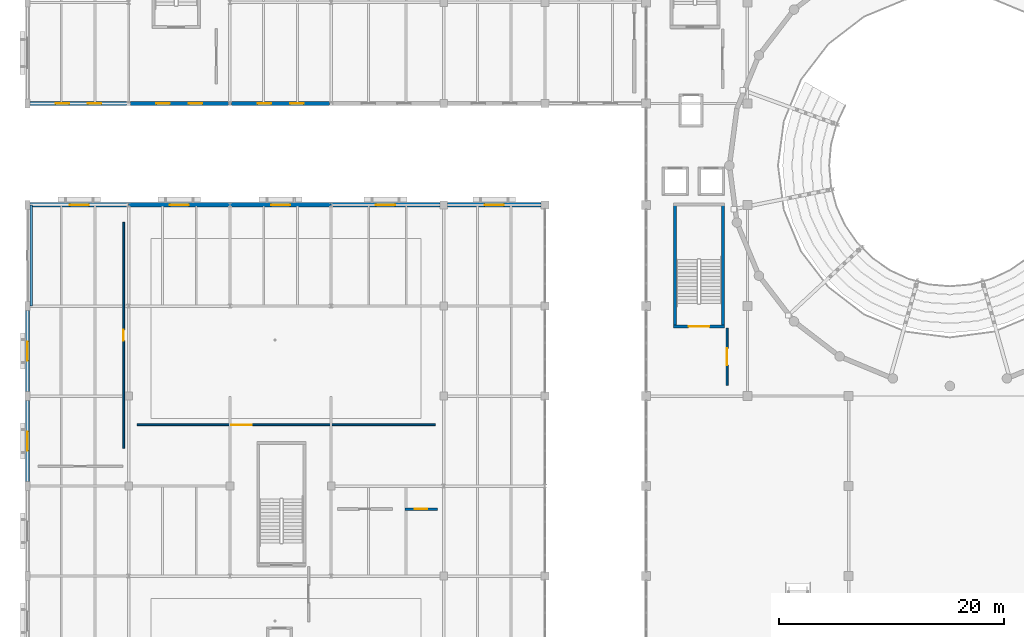
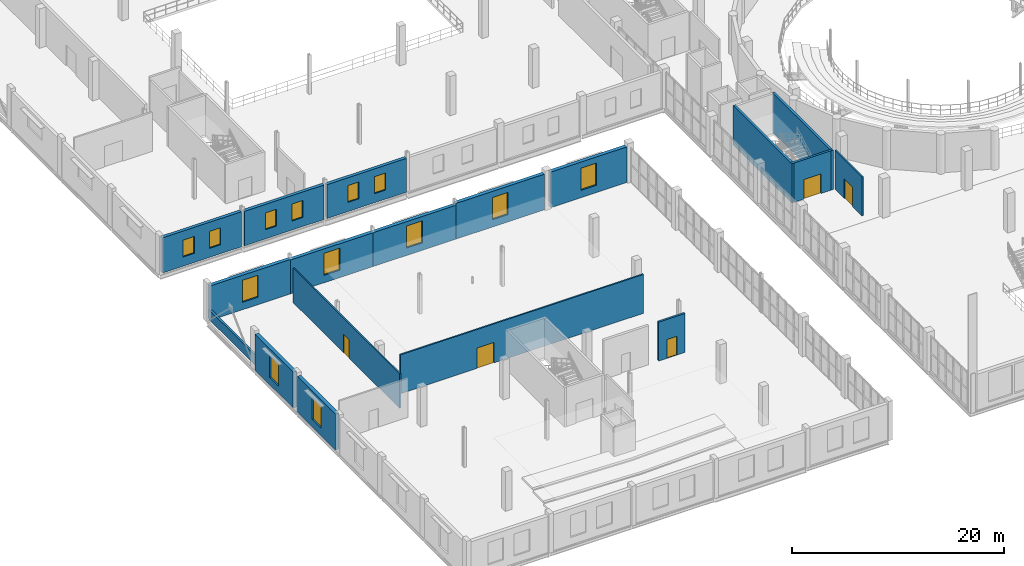
# One storey, part 69 of 93: 18 walls, 13 windows, 5 doors, 18 openings.
"""IFC4 building model written with IfcOpenShell, lengths in metres."""

from ifc_helpers import new_model, si_unit, direction, frame, frame_2d, origin, place, context, subcontext, project, spatial, rectangle, extrude, material, layer, layer_set, type_object, element, fill, save


model = new_model("IFC4")

# Units and contexts
model_context = context("Model", 3, precision=1e-05, world=origin(), true_north=direction((0.0, 1.0)))
body_context = subcontext(model_context, "Body", "Model", "MODEL_VIEW")
ifc_project = project(units=[si_unit("LENGTHUNIT", "METRE"), si_unit("AREAUNIT", "SQUARE_METRE"), si_unit("VOLUMEUNIT", "CUBIC_METRE"), si_unit("PLANEANGLEUNIT", "RADIAN"), si_unit("MASSUNIT", "GRAM", prefix="KILO")], contexts=[model_context])

# Site, building, storey
site_placement = place(None, origin())
site = spatial("IfcSite", under=ifc_project, at=site_placement, CompositionType="ELEMENT")
building_placement = place(site_placement, origin())
building = spatial("IfcBuilding", under=site, at=building_placement, Name="Marnock Terrace Opera House", CompositionType="ELEMENT")
storey_placement = place(building_placement, frame((0.0, 0.0, 5.39990234375)))
storey = spatial("IfcBuildingStorey", under=building, at=storey_placement, Name="L01", CompositionType="ELEMENT", Elevation=5.39990234375)

# Wall, opening, window
ifc_material_1 = material(Name="Basket Range sandstone ashlar masonry", Category="masonry")
ifc_layer_1 = layer(ifc_material_1, 0.389892578125)
ifc_layer_set_1 = layer_set([ifc_layer_1], Name="Basket Range sandstone ashlar masonry")
wall_type_1 = type_object("IfcWallType", Name="EW-ASHLAR-390", PredefinedType="SOLIDWALL", material=ifc_layer_set_1)
wall_1_placement = place(storey_placement, frame((0.0, 32.39599609375, 0.0), z_axis=(0.0, 0.0, 1.0), x_axis=(0.0, 1.0, 0.0)))
wall_1 = element("IfcWall", 1, at=wall_1_placement, inside=storey, type_object=wall_type_1, Name="L01 Volume 3 west sandstone wall 4", PredefinedType="SOLIDWALL", context=body_context, shape_type="SweptSolid", body=[
    extrude(rectangle(XDim=7.2080078125, YDim=0.389892578125, at=frame_2d((3.60400390625, 0.0))), origin(), (0.0, 0.0, 1.0), 4.151611328125),
])
opening_1_placement = place(wall_1_placement, frame((2.75390625, 0.0, 0.85009765625)))
opening_1 = element("IfcOpeningElement", 2, at=opening_1_placement, cuts=wall_1, Name="Opening WT-108", PredefinedType="OPENING", context=body_context, shape_type="SweptSolid", body=[
    extrude(rectangle(XDim=1.699951171875, YDim=2.550048828125, at=frame_2d((0.85009765625, 1.27490234375))), frame((0.0, 0.204833984375, 0.0), z_axis=(0.0, -1.0, 0.0), x_axis=(1.0, 0.0, 0.0)), (0.0, 0.0, 1.0), 0.409912109375),
])
ifc_material_2 = material(Name="Double-glazed acoustic low-E laminated glass", Category="glass")
window_type_1 = type_object("IfcWindowType", Name="WT-PIER-1700", PartitioningType="SINGLE_PANEL", PredefinedType="WINDOW", material=ifc_material_2)
window_1_placement = place(opening_1_placement, origin())
window_1 = element("IfcWindow", 3, at=window_1_placement, inside=storey, type_object=window_type_1, Name="L01 facade window EW-V3W-L01-4.1", OverallHeight=2.550048828125, OverallWidth=1.699951171875, PartitioningType="SINGLE_PANEL", PredefinedType="WINDOW", context=body_context, shape_type="SweptSolid", body=[
    extrude(rectangle(XDim=1.699951171875, YDim=2.550048828125, at=frame_2d((0.85009765625, 1.27490234375))), frame((0.0, 0.030029296875, 0.0), z_axis=(0.0, -1.0, 0.0), x_axis=(1.0, 0.0, 0.0)), (0.0, 0.0, 1.0), 0.06005859375),
])
fill(opening_1, window_1)

wall_2_placement = place(storey_placement, frame((0.0, 40.39599609375, 0.0), z_axis=(0.0, 0.0, 1.0), x_axis=(0.0, 1.0, 0.0)))
wall_2 = element("IfcWall", 4, at=wall_2_placement, inside=storey, type_object=wall_type_1, Name="L01 Volume 3 west sandstone wall 5", PredefinedType="SOLIDWALL", context=body_context, shape_type="SweptSolid", body=[
    extrude(rectangle(XDim=7.2080078125, YDim=0.389892578125, at=frame_2d((3.60400390625, 0.0))), origin(), (0.0, 0.0, 1.0), 4.151611328125),
])
opening_2_placement = place(wall_2_placement, frame((2.75390625, 0.0, 0.85009765625)))
opening_2 = element("IfcOpeningElement", 5, at=opening_2_placement, cuts=wall_2, Name="Opening WT-108", PredefinedType="OPENING", context=body_context, shape_type="SweptSolid", body=[
    extrude(rectangle(XDim=1.699951171875, YDim=2.550048828125, at=frame_2d((0.85009765625, 1.27490234375))), frame((0.0, 0.204833984375, 0.0), z_axis=(0.0, -1.0, 0.0), x_axis=(1.0, 0.0, 0.0)), (0.0, 0.0, 1.0), 0.409912109375),
])
window_2_placement = place(opening_2_placement, origin())
window_2 = element("IfcWindow", 6, at=window_2_placement, inside=storey, type_object=window_type_1, Name="L01 facade window EW-V3W-L01-5.1", OverallHeight=2.550048828125, OverallWidth=1.699951171875, PartitioningType="SINGLE_PANEL", PredefinedType="WINDOW", context=body_context, shape_type="SweptSolid", body=[
    extrude(rectangle(XDim=1.699951171875, YDim=2.550048828125, at=frame_2d((0.85009765625, 1.27490234375))), frame((0.0, 0.030029296875, 0.0), z_axis=(0.0, -1.0, 0.0), x_axis=(1.0, 0.0, 0.0)), (0.0, 0.0, 1.0), 0.06005859375),
])
fill(opening_2, window_2)

wall_3_placement = place(storey_placement, frame((0.220947265625, 57.0, 0.0), z_axis=(0.0, 0.0, 1.0), x_axis=(1.0, 0.0, 0.0)))
wall_3 = element("IfcWall", 7, at=wall_3_placement, inside=storey, type_object=wall_type_1, Name="L01 Volume 3 north sandstone wall 1", PredefinedType="SOLIDWALL", context=body_context, shape_type="SweptSolid", body=[
    extrude(rectangle(XDim=8.779052734375, YDim=0.389892578125, at=frame_2d((4.3896484375, 0.0))), origin(), (0.0, 0.0, 1.0), 3.97705078125),
])
opening_3_placement = place(wall_3_placement, frame((3.53955078125, 0.0, 0.85009765625)))
opening_3 = element("IfcOpeningElement", 8, at=opening_3_placement, cuts=wall_3, Name="Opening WT-108", PredefinedType="OPENING", context=body_context, shape_type="SweptSolid", body=[
    extrude(rectangle(XDim=1.699951171875, YDim=2.550048828125, at=frame_2d((0.85009765625, 1.27490234375))), frame((0.0, 0.204833984375, 0.0), z_axis=(0.0, -1.0, 0.0), x_axis=(1.0, 0.0, 0.0)), (0.0, 0.0, 1.0), 0.409912109375),
])
window_3_placement = place(opening_3_placement, origin())
window_3 = element("IfcWindow", 9, at=window_3_placement, inside=storey, type_object=window_type_1, Name="L01 facade window EW-V3N-L01-1.1", OverallHeight=2.550048828125, OverallWidth=1.699951171875, PartitioningType="SINGLE_PANEL", PredefinedType="WINDOW", context=body_context, shape_type="SweptSolid", body=[
    extrude(rectangle(XDim=1.699951171875, YDim=2.550048828125, at=frame_2d((0.85009765625, 1.27490234375))), frame((0.0, 0.030029296875, 0.0), z_axis=(0.0, -1.0, 0.0), x_axis=(1.0, 0.0, 0.0)), (0.0, 0.0, 1.0), 0.06005859375),
])
fill(opening_3, window_3)

wall_4_placement = place(storey_placement, frame((9.0, 57.0, 0.0), z_axis=(0.0, 0.0, 1.0), x_axis=(1.0, 0.0, 0.0)))
wall_4 = element("IfcWall", 10, at=wall_4_placement, inside=storey, type_object=wall_type_1, Name="L01 Volume 3 north sandstone wall 2", PredefinedType="SOLIDWALL", context=body_context, shape_type="SweptSolid", body=[
    extrude(rectangle(XDim=9.0, YDim=0.389892578125, at=frame_2d((4.5, 0.0))), origin(), (0.0, 0.0, 1.0), 3.903076171875),
])
opening_4_placement = place(wall_4_placement, frame((3.64990234375, 0.0, 0.85009765625)))
opening_4 = element("IfcOpeningElement", 11, at=opening_4_placement, cuts=wall_4, Name="Opening WT-108", PredefinedType="OPENING", context=body_context, shape_type="SweptSolid", body=[
    extrude(rectangle(XDim=1.699951171875, YDim=2.550048828125, at=frame_2d((0.85009765625, 1.27490234375))), frame((0.0, 0.204833984375, 0.0), z_axis=(0.0, -1.0, 0.0), x_axis=(1.0, 0.0, 0.0)), (0.0, 0.0, 1.0), 0.409912109375),
])
window_4_placement = place(opening_4_placement, origin())
window_4 = element("IfcWindow", 12, at=window_4_placement, inside=storey, type_object=window_type_1, Name="L01 facade window EW-V3N-L01-2.1", OverallHeight=2.550048828125, OverallWidth=1.699951171875, PartitioningType="SINGLE_PANEL", PredefinedType="WINDOW", context=body_context, shape_type="SweptSolid", body=[
    extrude(rectangle(XDim=1.699951171875, YDim=2.550048828125, at=frame_2d((0.85009765625, 1.27490234375))), frame((0.0, 0.030029296875, 0.0), z_axis=(0.0, -1.0, 0.0), x_axis=(1.0, 0.0, 0.0)), (0.0, 0.0, 1.0), 0.06005859375),
])
fill(opening_4, window_4)

wall_5_placement = place(storey_placement, frame((18.0, 57.0, 0.0), z_axis=(0.0, 0.0, 1.0), x_axis=(1.0, 0.0, 0.0)))
wall_5 = element("IfcWall", 13, at=wall_5_placement, inside=storey, type_object=wall_type_1, Name="L01 Volume 3 north sandstone wall 3", PredefinedType="SOLIDWALL", context=body_context, shape_type="SweptSolid", body=[
    extrude(rectangle(XDim=9.0, YDim=0.389892578125, at=frame_2d((4.5, 0.0))), origin(), (0.0, 0.0, 1.0), 3.8984375),
])
opening_5_placement = place(wall_5_placement, frame((3.64990234375, 0.0, 0.85009765625)))
opening_5 = element("IfcOpeningElement", 14, at=opening_5_placement, cuts=wall_5, Name="Opening WT-108", PredefinedType="OPENING", context=body_context, shape_type="SweptSolid", body=[
    extrude(rectangle(XDim=1.699951171875, YDim=2.550048828125, at=frame_2d((0.85009765625, 1.27490234375))), frame((0.0, 0.204833984375, 0.0), z_axis=(0.0, -1.0, 0.0), x_axis=(1.0, 0.0, 0.0)), (0.0, 0.0, 1.0), 0.409912109375),
])
window_5_placement = place(opening_5_placement, origin())
window_5 = element("IfcWindow", 15, at=window_5_placement, inside=storey, type_object=window_type_1, Name="L01 facade window EW-V3N-L01-3.1", OverallHeight=2.550048828125, OverallWidth=1.699951171875, PartitioningType="SINGLE_PANEL", PredefinedType="WINDOW", context=body_context, shape_type="SweptSolid", body=[
    extrude(rectangle(XDim=1.699951171875, YDim=2.550048828125, at=frame_2d((0.85009765625, 1.27490234375))), frame((0.0, 0.030029296875, 0.0), z_axis=(0.0, -1.0, 0.0), x_axis=(1.0, 0.0, 0.0)), (0.0, 0.0, 1.0), 0.06005859375),
])
fill(opening_5, window_5)

wall_6_placement = place(storey_placement, frame((27.0, 57.0, 0.0), z_axis=(0.0, 0.0, 1.0), x_axis=(1.0, 0.0, 0.0)))
wall_6 = element("IfcWall", 16, at=wall_6_placement, inside=storey, type_object=wall_type_1, Name="L01 Volume 3 north sandstone wall 4", PredefinedType="SOLIDWALL", context=body_context, shape_type="SweptSolid", body=[
    extrude(rectangle(XDim=9.654052734375, YDim=0.389892578125, at=frame_2d((4.8271484375, 0.0))), origin(), (0.0, 0.0, 1.0), 4.107421875),
])
opening_6_placement = place(wall_6_placement, frame((3.97705078125, 0.0, 0.85009765625)))
opening_6 = element("IfcOpeningElement", 17, at=opening_6_placement, cuts=wall_6, Name="Opening WT-108", PredefinedType="OPENING", context=body_context, shape_type="SweptSolid", body=[
    extrude(rectangle(XDim=1.699951171875, YDim=2.550048828125, at=frame_2d((0.85009765625, 1.27490234375))), frame((0.0, 0.204833984375, 0.0), z_axis=(0.0, -1.0, 0.0), x_axis=(1.0, 0.0, 0.0)), (0.0, 0.0, 1.0), 0.409912109375),
])
window_6_placement = place(opening_6_placement, origin())
window_6 = element("IfcWindow", 18, at=window_6_placement, inside=storey, type_object=window_type_1, Name="L01 facade window EW-V3N-L01-4.1", OverallHeight=2.550048828125, OverallWidth=1.699951171875, PartitioningType="SINGLE_PANEL", PredefinedType="WINDOW", context=body_context, shape_type="SweptSolid", body=[
    extrude(rectangle(XDim=1.699951171875, YDim=2.550048828125, at=frame_2d((0.85009765625, 1.27490234375))), frame((0.0, 0.030029296875, 0.0), z_axis=(0.0, -1.0, 0.0), x_axis=(1.0, 0.0, 0.0)), (0.0, 0.0, 1.0), 0.06005859375),
])
fill(opening_6, window_6)

wall_7_placement = place(storey_placement, frame((37.345947265625, 57.0, 0.0), z_axis=(0.0, 0.0, 1.0), x_axis=(1.0, 0.0, 0.0)))
wall_7 = element("IfcWall", 19, at=wall_7_placement, inside=storey, type_object=wall_type_1, Name="L01 Volume 3 north sandstone wall 5", PredefinedType="SOLIDWALL", context=body_context, shape_type="SweptSolid", body=[
    extrude(rectangle(XDim=8.30810546875, YDim=0.389892578125, at=frame_2d((4.154052734375, 0.0))), origin(), (0.0, 0.0, 1.0), 4.107421875),
])
opening_7_placement = place(wall_7_placement, frame((3.303955078125, 0.0, 0.85009765625)))
opening_7 = element("IfcOpeningElement", 20, at=opening_7_placement, cuts=wall_7, Name="Opening WT-108", PredefinedType="OPENING", context=body_context, shape_type="SweptSolid", body=[
    extrude(rectangle(XDim=1.699951171875, YDim=2.550048828125, at=frame_2d((0.85009765625, 1.27490234375))), frame((0.0, 0.204833984375, 0.0), z_axis=(0.0, -1.0, 0.0), x_axis=(1.0, 0.0, 0.0)), (0.0, 0.0, 1.0), 0.409912109375),
])
window_7_placement = place(opening_7_placement, origin())
window_7 = element("IfcWindow", 21, at=window_7_placement, inside=storey, type_object=window_type_1, Name="L01 facade window EW-V3N-L01-5.1", OverallHeight=2.550048828125, OverallWidth=1.699951171875, PartitioningType="SINGLE_PANEL", PredefinedType="WINDOW", context=body_context, shape_type="SweptSolid", body=[
    extrude(rectangle(XDim=1.699951171875, YDim=2.550048828125, at=frame_2d((0.85009765625, 1.27490234375))), frame((0.0, 0.030029296875, 0.0), z_axis=(0.0, -1.0, 0.0), x_axis=(1.0, 0.0, 0.0)), (0.0, 0.0, 1.0), 0.06005859375),
])
fill(opening_7, window_7)

# Wall
ifc_material_3 = material(Name="Pale hydraulic lime architectural render on masonry", Category="masonry")
ifc_layer_2 = layer(ifc_material_3, 0.22998046875)
ifc_layer_set_2 = layer_set([ifc_layer_2], Name="Pale hydraulic lime architectural render on masonry")
wall_type_2 = type_object("IfcWallType", Name="EW-PARA-230", PredefinedType="PARAPET", material=ifc_layer_set_2)
wall_8_placement = place(storey_placement, frame((0.320068359375, 48.0, 0.0), z_axis=(0.0, 0.0, 1.0), x_axis=(0.0, 1.0, 0.0)))
element("IfcWall", 22, at=wall_8_placement, inside=storey, type_object=wall_type_2, Name="L01 braced-bay interior spandrel guard upstand UPST-BRACE-V3W-L01", PredefinedType="PARAPET", context=body_context, shape_type="SweptSolid", body=[
    extrude(rectangle(XDim=9.0, YDim=0.22998046875, at=frame_2d((4.5, 0.0))), origin(), (0.0, 0.0, 1.0), 1.150146484375),
])

# Wall, openings, windows
ifc_material_4 = material(Name="Carey Gully rusticated stone masonry", Category="masonry")
ifc_layer_3 = layer(ifc_material_4, 0.340087890625)
ifc_layer_set_3 = layer_set([ifc_layer_3], Name="Carey Gully rusticated stone masonry")
wall_type_3 = type_object("IfcWallType", Name="EW-WORK-340", PredefinedType="SOLIDWALL", material=ifc_layer_set_3)
wall_9_placement = place(storey_placement, frame((0.220947265625, 66.0, 0.0), z_axis=(0.0, 0.0, 1.0), x_axis=(1.0, 0.0, 0.0)))
wall_9 = element("IfcWall", 23, at=wall_9_placement, inside=storey, type_object=wall_type_3, Name="L01 Workshops south courtyard wall 1", PredefinedType="SOLIDWALL", context=body_context, shape_type="SweptSolid", body=[
    extrude(rectangle(XDim=8.628662109375, YDim=0.340087890625, at=frame_2d((4.314453125, 0.0))), origin(), (0.0, 0.0, 1.0), 4.0498046875),
])
opening_8_placement = place(wall_9_placement, frame((2.276123046875, 0.0, 1.050048828125)))
opening_8 = element("IfcOpeningElement", 24, at=opening_8_placement, cuts=wall_9, Name="Opening WT-35", PredefinedType="OPENING", context=body_context, shape_type="SweptSolid", body=[
    extrude(rectangle(XDim=1.199951171875, YDim=1.949951171875, at=frame_2d((0.60009765625, 0.97509765625))), frame((0.0, 0.179931640625, 0.0), z_axis=(0.0, -1.0, 0.0), x_axis=(1.0, 0.0, 0.0)), (0.0, 0.0, 1.0), 0.360107421875),
])
opening_9_placement = place(wall_9_placement, frame((5.15234375, 0.0, 1.050048828125)))
opening_9 = element("IfcOpeningElement", 25, at=opening_9_placement, cuts=wall_9, Name="Opening WT-35", PredefinedType="OPENING", context=body_context, shape_type="SweptSolid", body=[
    extrude(rectangle(XDim=1.199951171875, YDim=1.949951171875, at=frame_2d((0.60009765625, 0.97509765625))), frame((0.0, 0.179931640625, 0.0), z_axis=(0.0, -1.0, 0.0), x_axis=(1.0, 0.0, 0.0)), (0.0, 0.0, 1.0), 0.360107421875),
])
window_type_2 = type_object("IfcWindowType", Name="WT-DRESS-1200", PartitioningType="SINGLE_PANEL", PredefinedType="WINDOW", material=ifc_material_2)
window_8_placement = place(opening_8_placement, origin())
window_8 = element("IfcWindow", 26, at=window_8_placement, inside=storey, type_object=window_type_2, Name="L01 facade window EW-V4S-L01-1.1", OverallHeight=1.949951171875, OverallWidth=1.199951171875, PartitioningType="SINGLE_PANEL", PredefinedType="WINDOW", context=body_context, shape_type="SweptSolid", body=[
    extrude(rectangle(XDim=1.199951171875, YDim=1.949951171875, at=frame_2d((0.60009765625, 0.97509765625))), frame((0.0, 0.030029296875, 0.0), z_axis=(0.0, -1.0, 0.0), x_axis=(1.0, 0.0, 0.0)), (0.0, 0.0, 1.0), 0.06005859375),
])
fill(opening_8, window_8)
window_9_placement = place(opening_9_placement, origin())
window_9 = element("IfcWindow", 27, at=window_9_placement, inside=storey, type_object=window_type_2, Name="L01 facade window EW-V4S-L01-1.2", OverallHeight=1.949951171875, OverallWidth=1.199951171875, PartitioningType="SINGLE_PANEL", PredefinedType="WINDOW", context=body_context, shape_type="SweptSolid", body=[
    extrude(rectangle(XDim=1.199951171875, YDim=1.949951171875, at=frame_2d((0.60009765625, 0.97509765625))), frame((0.0, 0.030029296875, 0.0), z_axis=(0.0, -1.0, 0.0), x_axis=(1.0, 0.0, 0.0)), (0.0, 0.0, 1.0), 0.06005859375),
])
fill(opening_9, window_9)

wall_10_placement = place(storey_placement, frame((9.150390625, 66.0, 0.0), z_axis=(0.0, 0.0, 1.0), x_axis=(1.0, 0.0, 0.0)))
wall_10 = element("IfcWall", 28, at=wall_10_placement, inside=storey, type_object=wall_type_3, Name="L01 Workshops south courtyard wall 2", PredefinedType="SOLIDWALL", context=body_context, shape_type="SweptSolid", body=[
    extrude(rectangle(XDim=8.69921875, YDim=0.340087890625, at=frame_2d((4.349609375, 0.0))), origin(), (0.0, 0.0, 1.0), 3.97705078125),
])
opening_10_placement = place(wall_10_placement, frame((2.2998046875, 0.0, 1.050048828125)))
opening_10 = element("IfcOpeningElement", 29, at=opening_10_placement, cuts=wall_10, Name="Opening WT-35", PredefinedType="OPENING", context=body_context, shape_type="SweptSolid", body=[
    extrude(rectangle(XDim=1.199951171875, YDim=1.949951171875, at=frame_2d((0.60009765625, 0.97509765625))), frame((0.0, 0.179931640625, 0.0), z_axis=(0.0, -1.0, 0.0), x_axis=(1.0, 0.0, 0.0)), (0.0, 0.0, 1.0), 0.360107421875),
])
opening_11_placement = place(wall_10_placement, frame((5.19921875, 0.0, 1.050048828125)))
opening_11 = element("IfcOpeningElement", 30, at=opening_11_placement, cuts=wall_10, Name="Opening WT-35", PredefinedType="OPENING", context=body_context, shape_type="SweptSolid", body=[
    extrude(rectangle(XDim=1.199951171875, YDim=1.949951171875, at=frame_2d((0.60009765625, 0.97509765625))), frame((0.0, 0.179931640625, 0.0), z_axis=(0.0, -1.0, 0.0), x_axis=(1.0, 0.0, 0.0)), (0.0, 0.0, 1.0), 0.360107421875),
])
window_10_placement = place(opening_10_placement, origin())
window_10 = element("IfcWindow", 31, at=window_10_placement, inside=storey, type_object=window_type_2, Name="L01 facade window EW-V4S-L01-2.1", OverallHeight=1.949951171875, OverallWidth=1.199951171875, PartitioningType="SINGLE_PANEL", PredefinedType="WINDOW", context=body_context, shape_type="SweptSolid", body=[
    extrude(rectangle(XDim=1.199951171875, YDim=1.949951171875, at=frame_2d((0.60009765625, 0.97509765625))), frame((0.0, 0.030029296875, 0.0), z_axis=(0.0, -1.0, 0.0), x_axis=(1.0, 0.0, 0.0)), (0.0, 0.0, 1.0), 0.06005859375),
])
fill(opening_10, window_10)
window_11_placement = place(opening_11_placement, origin())
window_11 = element("IfcWindow", 32, at=window_11_placement, inside=storey, type_object=window_type_2, Name="L01 facade window EW-V4S-L01-2.2", OverallHeight=1.949951171875, OverallWidth=1.199951171875, PartitioningType="SINGLE_PANEL", PredefinedType="WINDOW", context=body_context, shape_type="SweptSolid", body=[
    extrude(rectangle(XDim=1.199951171875, YDim=1.949951171875, at=frame_2d((0.60009765625, 0.97509765625))), frame((0.0, 0.030029296875, 0.0), z_axis=(0.0, -1.0, 0.0), x_axis=(1.0, 0.0, 0.0)), (0.0, 0.0, 1.0), 0.06005859375),
])
fill(opening_11, window_11)

wall_11_placement = place(storey_placement, frame((18.150390625, 66.0, 0.0), z_axis=(0.0, 0.0, 1.0), x_axis=(1.0, 0.0, 0.0)))
wall_11 = element("IfcWall", 33, at=wall_11_placement, inside=storey, type_object=wall_type_3, Name="L01 Workshops south courtyard wall 3", PredefinedType="SOLIDWALL", context=body_context, shape_type="SweptSolid", body=[
    extrude(rectangle(XDim=8.69921875, YDim=0.340087890625, at=frame_2d((4.349609375, 0.0))), origin(), (0.0, 0.0, 1.0), 3.903076171875),
])
opening_12_placement = place(wall_11_placement, frame((2.2998046875, 0.0, 1.050048828125)))
opening_12 = element("IfcOpeningElement", 34, at=opening_12_placement, cuts=wall_11, Name="Opening WT-35", PredefinedType="OPENING", context=body_context, shape_type="SweptSolid", body=[
    extrude(rectangle(XDim=1.199951171875, YDim=1.949951171875, at=frame_2d((0.60009765625, 0.97509765625))), frame((0.0, 0.179931640625, 0.0), z_axis=(0.0, -1.0, 0.0), x_axis=(1.0, 0.0, 0.0)), (0.0, 0.0, 1.0), 0.360107421875),
])
opening_13_placement = place(wall_11_placement, frame((5.19921875, 0.0, 1.050048828125)))
opening_13 = element("IfcOpeningElement", 35, at=opening_13_placement, cuts=wall_11, Name="Opening WT-35", PredefinedType="OPENING", context=body_context, shape_type="SweptSolid", body=[
    extrude(rectangle(XDim=1.199951171875, YDim=1.949951171875, at=frame_2d((0.60009765625, 0.97509765625))), frame((0.0, 0.179931640625, 0.0), z_axis=(0.0, -1.0, 0.0), x_axis=(1.0, 0.0, 0.0)), (0.0, 0.0, 1.0), 0.360107421875),
])
window_12_placement = place(opening_12_placement, origin())
window_12 = element("IfcWindow", 36, at=window_12_placement, inside=storey, type_object=window_type_2, Name="L01 facade window EW-V4S-L01-3.1", OverallHeight=1.949951171875, OverallWidth=1.199951171875, PartitioningType="SINGLE_PANEL", PredefinedType="WINDOW", context=body_context, shape_type="SweptSolid", body=[
    extrude(rectangle(XDim=1.199951171875, YDim=1.949951171875, at=frame_2d((0.60009765625, 0.97509765625))), frame((0.0, 0.030029296875, 0.0), z_axis=(0.0, -1.0, 0.0), x_axis=(1.0, 0.0, 0.0)), (0.0, 0.0, 1.0), 0.06005859375),
])
fill(opening_12, window_12)
window_13_placement = place(opening_13_placement, origin())
window_13 = element("IfcWindow", 37, at=window_13_placement, inside=storey, type_object=window_type_2, Name="L01 facade window EW-V4S-L01-3.2", OverallHeight=1.949951171875, OverallWidth=1.199951171875, PartitioningType="SINGLE_PANEL", PredefinedType="WINDOW", context=body_context, shape_type="SweptSolid", body=[
    extrude(rectangle(XDim=1.199951171875, YDim=1.949951171875, at=frame_2d((0.60009765625, 0.97509765625))), frame((0.0, 0.030029296875, 0.0), z_axis=(0.0, -1.0, 0.0), x_axis=(1.0, 0.0, 0.0)), (0.0, 0.0, 1.0), 0.06005859375),
])
fill(opening_13, window_13)

# Wall, opening, door
ifc_material_5 = material(Name="Rendered acoustic concrete blockwork", Category="masonry")
ifc_layer_4 = layer(ifc_material_5, 0.175048828125)
ifc_layer_set_4 = layer_set([ifc_layer_4], Name="Rendered acoustic concrete blockwork")
wall_type_4 = type_object("IfcWallType", Name="IW-FIRE-175", PredefinedType="PARTITIONING", material=ifc_layer_set_4)
wall_12_placement = place(storey_placement, frame((62.199951171875, 40.949951171875, 0.0), z_axis=(0.0, 0.0, 1.0), x_axis=(0.0, 1.0, 0.0)))
wall_12 = element("IfcWall", 38, at=wall_12_placement, inside=storey, type_object=wall_type_4, Name="L01 C1 fire-rated lift and stair lobby wall", PredefinedType="PARTITIONING", context=body_context, shape_type="SweptSolid", body=[
    extrude(rectangle(XDim=5.10009765625, YDim=0.175048828125, at=frame_2d((2.550048828125, 0.0))), origin(), (0.0, 0.0, 1.0), 4.489990234375),
])
opening_14_placement = place(wall_12_placement, frame((1.77490234375, 0.0, 0.0)))
opening_14 = element("IfcOpeningElement", 39, at=opening_14_placement, cuts=wall_12, Name="Opening FD-C1-L01", PredefinedType="OPENING", context=body_context, shape_type="SweptSolid", body=[
    extrude(rectangle(XDim=1.550048828125, YDim=2.219970703125, at=frame_2d((0.77490234375, 1.10986328125))), frame((0.0, 0.097412109375, 0.0), z_axis=(0.0, -1.0, 0.0), x_axis=(1.0, 0.0, 0.0)), (0.0, 0.0, 1.0), 0.195068359375),
])
ifc_material_6 = material(Name="Fire-rated acoustic timber-core door assembly", Category="wood")
door_type_1 = type_object("IfcDoorType", Name="DT-LOBBY-1550", OperationType="NOTDEFINED", PredefinedType="DOOR", material=ifc_material_6)
door_1_placement = place(opening_14_placement, origin())
door_1 = element("IfcDoor", 40, at=door_1_placement, inside=storey, type_object=door_type_1, Name="L01 C1 lobby self-closing smoke door", OperationType="SINGLE_SWING_RIGHT", OverallHeight=2.219970703125, OverallWidth=1.550048828125, PredefinedType="DOOR", context=body_context, shape_type="SweptSolid", body=[
    extrude(rectangle(XDim=1.550048828125, YDim=2.219970703125, at=frame_2d((0.77490234375, 1.10986328125))), frame((0.0, 0.02490234375, 0.0), z_axis=(0.0, -1.0, 0.0), x_axis=(1.0, 0.0, 0.0)), (0.0, 0.0, 1.0), 0.050048828125),
])
fill(opening_14, door_1)

ifc_material_7 = material(Name="Motorised aluminium-framed acoustic operable partition", Category="aluminium")
ifc_layer_5 = layer(ifc_material_7, 0.152099609375)
ifc_layer_set_5 = layer_set([ifc_layer_5], Name="Motorised aluminium-framed acoustic operable partition")
wall_type_5 = type_object("IfcWallType", Name="IW-MOVABLE-152", PredefinedType="MOVABLE", material=ifc_layer_set_5)
wall_13_placement = place(storey_placement, frame((8.550048828125, 35.35009765625, 0.0), z_axis=(0.0, 0.0, 1.0), x_axis=(0.0, 1.0, 0.0)))
wall_13 = element("IfcWall", 41, at=wall_13_placement, inside=storey, type_object=wall_type_5, Name="L01 Ensemble Practice Studio acoustic partition wall", PredefinedType="MOVABLE", context=body_context, shape_type="SweptSolid", body=[
    extrude(rectangle(XDim=20.099853515625, YDim=0.152099609375, at=frame_2d((10.0498046875, 0.0))), origin(), (0.0, 0.0, 1.0), 3.982177734375),
])
opening_15_placement = place(wall_13_placement, frame((9.570068359375, 0.0, 0.0)))
opening_15 = element("IfcOpeningElement", 42, at=opening_15_placement, cuts=wall_13, Name="Opening D-L01-14", PredefinedType="OPENING", context=body_context, shape_type="SweptSolid", body=[
    extrude(rectangle(XDim=0.9599609375, YDim=2.14990234375, at=frame_2d((0.47998046875, 1.074951171875))), frame((0.0, 0.0859375, 0.0), z_axis=(0.0, -1.0, 0.0), x_axis=(1.0, 0.0, 0.0)), (0.0, 0.0, 1.0), 0.172119140625),
])
ifc_material_8 = material(Name="Solid-core Tasmanian oak acoustic door leaf")
door_type_2 = type_object("IfcDoorType", Name="DT-ROOM-960", OperationType="NOTDEFINED", PredefinedType="DOOR", material=ifc_material_8)
door_2_placement = place(opening_15_placement, origin())
door_2 = element("IfcDoor", 43, at=door_2_placement, inside=storey, type_object=door_type_2, Name="L01 Ensemble Practice Studio entrance door", OperationType="SINGLE_SWING_RIGHT", OverallHeight=2.14990234375, OverallWidth=0.9599609375, PredefinedType="DOOR", context=body_context, shape_type="SweptSolid", body=[
    extrude(rectangle(XDim=0.9599609375, YDim=2.14990234375, at=frame_2d((0.47998046875, 1.074951171875))), frame((0.0, 0.02490234375, 0.0), z_axis=(0.0, -1.0, 0.0), x_axis=(1.0, 0.0, 0.0)), (0.0, 0.0, 1.0), 0.050048828125),
])
fill(opening_15, door_2)

ifc_material_9 = material(Name="Double-stud acoustic plasterboard with mineral-wool infill")
ifc_layer_6 = layer(ifc_material_9, 0.159912109375)
ifc_layer_set_6 = layer_set([ifc_layer_6], Name="Double-stud acoustic plasterboard with mineral-wool infill")
wall_type_6 = type_object("IfcWallType", Name="IW-PART-160", PredefinedType="PARTITIONING", material=ifc_layer_set_6)
wall_14_placement = place(storey_placement, frame((9.75, 37.449951171875, 0.0), z_axis=(0.0, 0.0, 1.0), x_axis=(1.0, 0.0, 0.0)))
wall_14 = element("IfcWall", 44, at=wall_14_placement, inside=storey, type_object=wall_type_6, Name="L01 Orchestra Rehearsal Hall acoustic partition wall", PredefinedType="PARTITIONING", context=body_context, shape_type="SweptSolid", body=[
    extrude(rectangle(XDim=26.5, YDim=0.159912109375, at=frame_2d((13.25, 0.0))), origin(), (0.0, 0.0, 1.0), 4.489990234375),
])
opening_16_placement = place(wall_14_placement, frame((8.364990234375, 0.0, 0.0)))
opening_16 = element("IfcOpeningElement", 45, at=opening_16_placement, cuts=wall_14, Name="Opening D-L01-12", PredefinedType="OPENING", context=body_context, shape_type="SweptSolid", body=[
    extrude(rectangle(XDim=1.820068359375, YDim=2.35009765625, at=frame_2d((0.91015625, 1.175048828125))), frame((0.0, 0.08984375, 0.0), z_axis=(0.0, -1.0, 0.0), x_axis=(1.0, 0.0, 0.0)), (0.0, 0.0, 1.0), 0.179931640625),
])
door_type_3 = type_object("IfcDoorType", Name="DT-REHEARS-1820", OperationType="NOTDEFINED", PredefinedType="DOOR", material=ifc_material_8)
door_3_placement = place(opening_16_placement, origin())
door_3 = element("IfcDoor", 46, at=door_3_placement, inside=storey, type_object=door_type_3, Name="L01 Orchestra Rehearsal Hall entrance door", OperationType="DOUBLE_DOOR_SINGLE_SWING", OverallHeight=2.35009765625, OverallWidth=1.820068359375, PredefinedType="DOOR", context=body_context, shape_type="SweptSolid", body=[
    extrude(rectangle(XDim=1.820068359375, YDim=2.35009765625, at=frame_2d((0.91015625, 1.175048828125))), frame((0.0, 0.02490234375, 0.0), z_axis=(0.0, -1.0, 0.0), x_axis=(1.0, 0.0, 0.0)), (0.0, 0.0, 1.0), 0.050048828125),
])
fill(opening_16, door_3)

ifc_material_10 = material(Name="Moisture-resistant tiled service duct framing")
ifc_layer_7 = layer(ifc_material_10, 0.205078125)
ifc_layer_set_7 = layer_set([ifc_layer_7], Name="Moisture-resistant tiled service duct framing")
wall_type_7 = type_object("IfcWallType", Name="IW-PLUMB-205", PredefinedType="PLUMBINGWALL", material=ifc_layer_set_7)
wall_15_placement = place(storey_placement, frame((33.550048828125, 29.949951171875, 0.0), z_axis=(0.0, 0.0, 1.0), x_axis=(1.0, 0.0, 0.0)))
wall_15 = element("IfcWall", 47, at=wall_15_placement, inside=storey, type_object=wall_type_7, Name="L01 Accessible WC L01 West acoustic partition wall", PredefinedType="PLUMBINGWALL", context=body_context, shape_type="SweptSolid", body=[
    extrude(rectangle(XDim=2.89990234375, YDim=0.205078125, at=frame_2d((1.449951171875, 0.0))), origin(), (0.0, 0.0, 1.0), 4.489990234375),
])
opening_17_placement = place(wall_15_placement, frame((0.889892578125, 0.0, 0.0)))
opening_17 = element("IfcOpeningElement", 48, at=opening_17_placement, cuts=wall_15, Name="Opening D-L01-28", PredefinedType="OPENING", context=body_context, shape_type="SweptSolid", body=[
    extrude(rectangle(XDim=1.1201171875, YDim=2.159912109375, at=frame_2d((0.56005859375, 1.080078125))), frame((0.0, 0.112548828125, 0.0), z_axis=(0.0, -1.0, 0.0), x_axis=(1.0, 0.0, 0.0)), (0.0, 0.0, 1.0), 0.22509765625),
])
door_type_4 = type_object("IfcDoorType", Name="DT-ACCWC-1120", OperationType="NOTDEFINED", PredefinedType="DOOR", material=ifc_material_8)
door_4_placement = place(opening_17_placement, origin())
door_4 = element("IfcDoor", 49, at=door_4_placement, inside=storey, type_object=door_type_4, Name="L01 Accessible WC L01 West entrance door", OperationType="SINGLE_SWING_RIGHT", OverallHeight=2.159912109375, OverallWidth=1.1201171875, PredefinedType="DOOR", context=body_context, shape_type="SweptSolid", body=[
    extrude(rectangle(XDim=1.1201171875, YDim=2.159912109375, at=frame_2d((0.56005859375, 1.080078125))), frame((0.0, 0.02490234375, 0.0), z_axis=(0.0, -1.0, 0.0), x_axis=(1.0, 0.0, 0.0)), (0.0, 0.0, 1.0), 0.050048828125),
])
fill(opening_17, door_4)

ifc_material_11 = material(Name="Concrete N40 (f'c = 40 MPa)", Category="concrete")
ifc_layer_8 = layer(ifc_material_11, 0.25)
ifc_layer_set_8 = layer_set([ifc_layer_8], Name="Concrete N40 (f'c = 40 MPa)")
wall_type_8 = type_object("IfcWallType", Name="SW-CORE-250", PredefinedType="SHEAR", material=ifc_layer_set_8)
wall_16_placement = place(storey_placement, frame((57.43505859375, 46.199951171875, 0.0), z_axis=(0.0, 0.0, 1.0), x_axis=(1.0, 0.0, 0.0)))
wall_16 = element("IfcWall", 50, at=wall_16_placement, inside=storey, type_object=wall_type_8, Name="L01 Core C1 FRL 120/120/120 shear wall S", PredefinedType="SHEAR", context=body_context, shape_type="SweptSolid", body=[
    extrude(rectangle(XDim=4.530029296875, YDim=0.25, at=frame_2d((2.26513671875, 0.0))), origin(), (0.0, 0.0, 1.0), 4.5400390625),
])
opening_18_placement = place(wall_16_placement, frame((1.340087890625, 0.0, 0.0)))
opening_18 = element("IfcOpeningElement", 51, at=opening_18_placement, cuts=wall_16, Name="Opening SD-C1-L01", PredefinedType="OPENING", context=body_context, shape_type="SweptSolid", body=[
    extrude(rectangle(XDim=1.85009765625, YDim=2.25, at=frame_2d((0.925048828125, 1.125))), frame((0.0, 0.135009765625, 0.0), z_axis=(0.0, -1.0, 0.0), x_axis=(1.0, 0.0, 0.0)), (0.0, 0.0, 1.0), 0.27001953125),
])
door_type_5 = type_object("IfcDoorType", Name="DT-STAIR-1850", OperationType="NOTDEFINED", PredefinedType="DOOR", material=ifc_material_6)
door_5_placement = place(opening_18_placement, origin())
door_5 = element("IfcDoor", 52, at=door_5_placement, inside=storey, type_object=door_type_5, Name="L01 Stair ST-01 fire-isolated exit door", OperationType="SINGLE_SWING_LEFT", OverallHeight=2.25, OverallWidth=1.85009765625, PredefinedType="DOOR", context=body_context, shape_type="SweptSolid", body=[
    extrude(rectangle(XDim=1.85009765625, YDim=2.25, at=frame_2d((0.925048828125, 1.125))), frame((0.0, 0.02490234375, 0.0), z_axis=(0.0, -1.0, 0.0), x_axis=(1.0, 0.0, 0.0)), (0.0, 0.0, 1.0), 0.050048828125),
])
fill(opening_18, door_5)

# Walls
for number, where, z_axis, x_axis, name in (
    (53, (57.56005859375, 46.074951171875, 0.0), (0.0, 0.0, 1.0), (0.0, 1.0, 0.0), "L01 Core C1 FRL 120/120/120 shear wall W"),
    (54, (61.840087890625, 46.074951171875, 0.0), (0.0, 0.0, 1.0), (0.0, 1.0, 0.0), "L01 Core C1 FRL 120/120/120 shear wall E"),
):
    element("IfcWall", number, at=place(storey_placement, frame(where, z_axis=z_axis, x_axis=x_axis)), inside=storey, type_object=wall_type_8, Name=name, PredefinedType="SHEAR", context=body_context, shape_type="SweptSolid", body=[
        extrude(rectangle(XDim=11.090087890625, YDim=0.25, at=frame_2d((5.544921875, 0.0))), origin(), (0.0, 0.0, 1.0), 4.5400390625),
    ])

save(model, "model.ifc")
